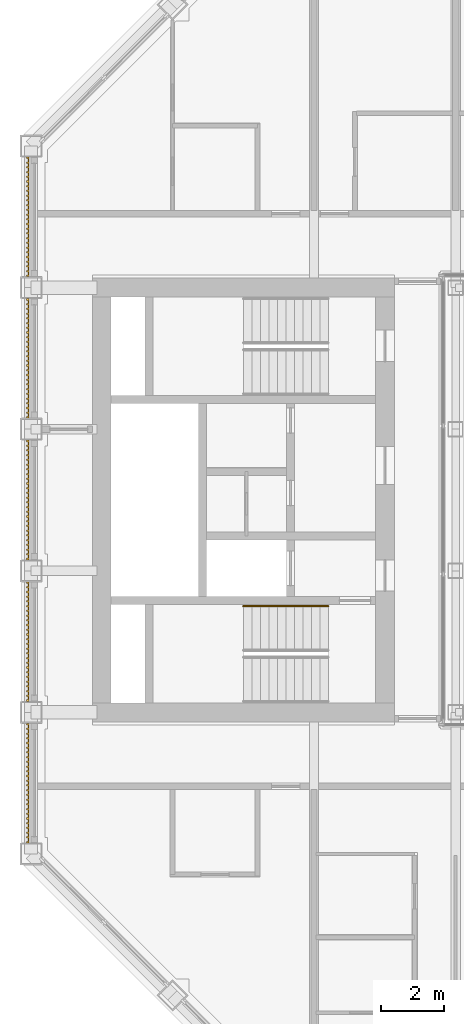
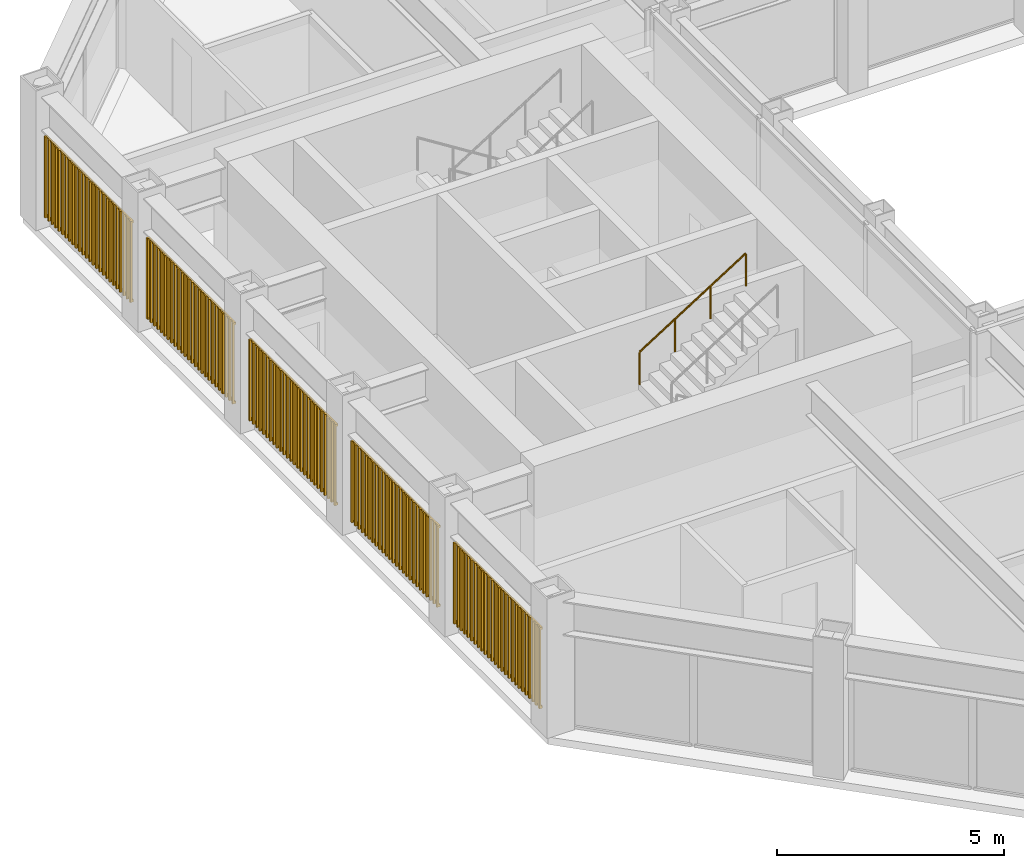
# One storey, part 15 of 18: 1 railing, 1 shading device.
"""IFC4 building model written with IfcOpenShell, lengths in metres."""

from ifc_helpers import new_model, si_unit, direction, frame, origin, origin_2d, place, context, subcontext, project, spatial, rectangle, circle, extrude, material, type_object, element, save


model = new_model("IFC4")

# Units and contexts
model_context = context("Model", 3, precision=1e-05, world=origin(), true_north=direction((0.0, 1.0)))
body_context = subcontext(model_context, "Body", "Model", "MODEL_VIEW")
ifc_project = project(units=[si_unit("LENGTHUNIT", "METRE"), si_unit("AREAUNIT", "SQUARE_METRE"), si_unit("VOLUMEUNIT", "CUBIC_METRE"), si_unit("PLANEANGLEUNIT", "RADIAN"), si_unit("MASSUNIT", "GRAM", prefix="KILO")], contexts=[model_context])

# Site, building, storey
site_placement = place(None, origin())
site = spatial("IfcSite", under=ifc_project, at=site_placement, CompositionType="ELEMENT")
building_placement = place(site_placement, origin())
building = spatial("IfcBuilding", under=site, at=building_placement, Name="Msasa Ring Tower", CompositionType="ELEMENT")
storey_placement = place(building_placement, frame((0.0, 0.0, 230.800048828125)))
storey = spatial("IfcBuildingStorey", under=building, at=storey_placement, Name="L60", CompositionType="ELEMENT", Elevation=230.800048828125)

# Shading device
ifc_material_1 = material(Name="Extruded terracotta on aluminium carriers", Category="masonry")
shading_device_type = type_object("IfcShadingDeviceType", Name="BS1 TERRACOTTA BAGUETTE SCREEN 50x50 AT 150", PredefinedType="USERDEFINED", material=ifc_material_1)
shading_device_placement = place(storey_placement, origin())
element("IfcShadingDevice", 1, at=shading_device_placement, inside=storey, type_object=shading_device_type, Name="Terracotta baguette screen W L60", ObjectType="BAGUETTE", PredefinedType="USERDEFINED", context=body_context, shape_type="SweptSolid", body=[
    extrude(rectangle(XDim=0.06005859375, YDim=0.0400390625, at=origin_2d()), frame((-20.330078125, -10.89990234375, 0.329833984375), z_axis=(0.0, 1.0, 0.0), x_axis=(0.0, 0.0, 1.0)), (0.0, 0.0, 1.0), 3.800048828125),
    extrude(rectangle(XDim=0.06005859375, YDim=0.0400390625, at=origin_2d()), frame((-20.330078125, -10.89990234375, 2.448974609375), z_axis=(0.0, 1.0, 0.0), x_axis=(0.0, 0.0, 1.0)), (0.0, 0.0, 1.0), 3.800048828125),
    extrude(rectangle(XDim=0.050048828125, YDim=0.050048828125, at=origin_2d()), frame((-20.3701171875, -10.875, 0.300048828125), z_axis=(0.0, 0.0, 1.0), x_axis=(0.0, 1.0, 0.0)), (0.0, 0.0, 1.0), 2.178955078125),
    extrude(rectangle(XDim=0.050048828125, YDim=0.050048828125, at=origin_2d()), frame((-20.3701171875, -10.72509765625, 0.300048828125), z_axis=(0.0, 0.0, 1.0), x_axis=(0.0, 1.0, 0.0)), (0.0, 0.0, 1.0), 2.178955078125),
    extrude(rectangle(XDim=0.050048828125, YDim=0.050048828125, at=origin_2d()), frame((-20.3701171875, -10.574951171875, 0.300048828125), z_axis=(0.0, 0.0, 1.0), x_axis=(0.0, 1.0, 0.0)), (0.0, 0.0, 1.0), 2.178955078125),
    extrude(rectangle(XDim=0.050048828125, YDim=0.050048828125, at=origin_2d()), frame((-20.3701171875, -10.425048828125, 0.300048828125), z_axis=(0.0, 0.0, 1.0), x_axis=(0.0, 1.0, 0.0)), (0.0, 0.0, 1.0), 2.178955078125),
    extrude(rectangle(XDim=0.050048828125, YDim=0.050048828125, at=origin_2d()), frame((-20.3701171875, -10.27490234375, 0.300048828125), z_axis=(0.0, 0.0, 1.0), x_axis=(0.0, 1.0, 0.0)), (0.0, 0.0, 1.0), 2.178955078125),
    extrude(rectangle(XDim=0.050048828125, YDim=0.050048828125, at=origin_2d()), frame((-20.3701171875, -10.125, 0.300048828125), z_axis=(0.0, 0.0, 1.0), x_axis=(0.0, 1.0, 0.0)), (0.0, 0.0, 1.0), 2.178955078125),
    extrude(rectangle(XDim=0.050048828125, YDim=0.050048828125, at=origin_2d()), frame((-20.3701171875, -9.97509765625, 0.300048828125), z_axis=(0.0, 0.0, 1.0), x_axis=(0.0, 1.0, 0.0)), (0.0, 0.0, 1.0), 2.178955078125),
    extrude(rectangle(XDim=0.050048828125, YDim=0.050048828125, at=origin_2d()), frame((-20.3701171875, -9.824951171875, 0.300048828125), z_axis=(0.0, 0.0, 1.0), x_axis=(0.0, 1.0, 0.0)), (0.0, 0.0, 1.0), 2.178955078125),
    extrude(rectangle(XDim=0.050048828125, YDim=0.050048828125, at=origin_2d()), frame((-20.3701171875, -9.675048828125, 0.300048828125), z_axis=(0.0, 0.0, 1.0), x_axis=(0.0, 1.0, 0.0)), (0.0, 0.0, 1.0), 2.178955078125),
    extrude(rectangle(XDim=0.050048828125, YDim=0.050048828125, at=origin_2d()), frame((-20.3701171875, -9.52490234375, 0.300048828125), z_axis=(0.0, 0.0, 1.0), x_axis=(0.0, 1.0, 0.0)), (0.0, 0.0, 1.0), 2.178955078125),
    extrude(rectangle(XDim=0.050048828125, YDim=0.050048828125, at=origin_2d()), frame((-20.3701171875, -9.375, 0.300048828125), z_axis=(0.0, 0.0, 1.0), x_axis=(0.0, 1.0, 0.0)), (0.0, 0.0, 1.0), 2.178955078125),
    extrude(rectangle(XDim=0.050048828125, YDim=0.050048828125, at=origin_2d()), frame((-20.3701171875, -9.22509765625, 0.300048828125), z_axis=(0.0, 0.0, 1.0), x_axis=(0.0, 1.0, 0.0)), (0.0, 0.0, 1.0), 2.178955078125),
    extrude(rectangle(XDim=0.050048828125, YDim=0.050048828125, at=origin_2d()), frame((-20.3701171875, -9.074951171875, 0.300048828125), z_axis=(0.0, 0.0, 1.0), x_axis=(0.0, 1.0, 0.0)), (0.0, 0.0, 1.0), 2.178955078125),
    extrude(rectangle(XDim=0.050048828125, YDim=0.050048828125, at=origin_2d()), frame((-20.3701171875, -8.925048828125, 0.300048828125), z_axis=(0.0, 0.0, 1.0), x_axis=(0.0, 1.0, 0.0)), (0.0, 0.0, 1.0), 2.178955078125),
    extrude(rectangle(XDim=0.050048828125, YDim=0.050048828125, at=origin_2d()), frame((-20.3701171875, -8.77490234375, 0.300048828125), z_axis=(0.0, 0.0, 1.0), x_axis=(0.0, 1.0, 0.0)), (0.0, 0.0, 1.0), 2.178955078125),
    extrude(rectangle(XDim=0.050048828125, YDim=0.050048828125, at=origin_2d()), frame((-20.3701171875, -8.625, 0.300048828125), z_axis=(0.0, 0.0, 1.0), x_axis=(0.0, 1.0, 0.0)), (0.0, 0.0, 1.0), 2.178955078125),
    extrude(rectangle(XDim=0.050048828125, YDim=0.050048828125, at=origin_2d()), frame((-20.3701171875, -8.47509765625, 0.300048828125), z_axis=(0.0, 0.0, 1.0), x_axis=(0.0, 1.0, 0.0)), (0.0, 0.0, 1.0), 2.178955078125),
    extrude(rectangle(XDim=0.050048828125, YDim=0.050048828125, at=origin_2d()), frame((-20.3701171875, -8.324951171875, 0.300048828125), z_axis=(0.0, 0.0, 1.0), x_axis=(0.0, 1.0, 0.0)), (0.0, 0.0, 1.0), 2.178955078125),
    extrude(rectangle(XDim=0.050048828125, YDim=0.050048828125, at=origin_2d()), frame((-20.3701171875, -8.175048828125, 0.300048828125), z_axis=(0.0, 0.0, 1.0), x_axis=(0.0, 1.0, 0.0)), (0.0, 0.0, 1.0), 2.178955078125),
    extrude(rectangle(XDim=0.050048828125, YDim=0.050048828125, at=origin_2d()), frame((-20.3701171875, -8.02490234375, 0.300048828125), z_axis=(0.0, 0.0, 1.0), x_axis=(0.0, 1.0, 0.0)), (0.0, 0.0, 1.0), 2.178955078125),
    extrude(rectangle(XDim=0.050048828125, YDim=0.050048828125, at=origin_2d()), frame((-20.3701171875, -7.875, 0.300048828125), z_axis=(0.0, 0.0, 1.0), x_axis=(0.0, 1.0, 0.0)), (0.0, 0.0, 1.0), 2.178955078125),
    extrude(rectangle(XDim=0.050048828125, YDim=0.050048828125, at=origin_2d()), frame((-20.3701171875, -7.72509765625, 0.300048828125), z_axis=(0.0, 0.0, 1.0), x_axis=(0.0, 1.0, 0.0)), (0.0, 0.0, 1.0), 2.178955078125),
    extrude(rectangle(XDim=0.050048828125, YDim=0.050048828125, at=origin_2d()), frame((-20.3701171875, -7.574951171875, 0.300048828125), z_axis=(0.0, 0.0, 1.0), x_axis=(0.0, 1.0, 0.0)), (0.0, 0.0, 1.0), 2.178955078125),
    extrude(rectangle(XDim=0.050048828125, YDim=0.050048828125, at=origin_2d()), frame((-20.3701171875, -7.425048828125, 0.300048828125), z_axis=(0.0, 0.0, 1.0), x_axis=(0.0, 1.0, 0.0)), (0.0, 0.0, 1.0), 2.178955078125),
    extrude(rectangle(XDim=0.050048828125, YDim=0.050048828125, at=origin_2d()), frame((-20.3701171875, -7.27490234375, 0.300048828125), z_axis=(0.0, 0.0, 1.0), x_axis=(0.0, 1.0, 0.0)), (0.0, 0.0, 1.0), 2.178955078125),
    extrude(rectangle(XDim=0.050048828125, YDim=0.050048828125, at=origin_2d()), frame((-20.3701171875, -7.125, 0.300048828125), z_axis=(0.0, 0.0, 1.0), x_axis=(0.0, 1.0, 0.0)), (0.0, 0.0, 1.0), 2.178955078125),
    extrude(rectangle(XDim=0.06005859375, YDim=0.0400390625, at=origin_2d()), frame((-20.330078125, -6.39990234375, 0.329833984375), z_axis=(0.0, 1.0, 0.0), x_axis=(0.0, 0.0, 1.0)), (0.0, 0.0, 1.0), 3.800048828125),
    extrude(rectangle(XDim=0.06005859375, YDim=0.0400390625, at=origin_2d()), frame((-20.330078125, -6.39990234375, 2.448974609375), z_axis=(0.0, 1.0, 0.0), x_axis=(0.0, 0.0, 1.0)), (0.0, 0.0, 1.0), 3.800048828125),
    extrude(rectangle(XDim=0.050048828125, YDim=0.050048828125, at=origin_2d()), frame((-20.3701171875, -6.375, 0.300048828125), z_axis=(0.0, 0.0, 1.0), x_axis=(0.0, 1.0, 0.0)), (0.0, 0.0, 1.0), 2.178955078125),
    extrude(rectangle(XDim=0.050048828125, YDim=0.050048828125, at=origin_2d()), frame((-20.3701171875, -6.22509765625, 0.300048828125), z_axis=(0.0, 0.0, 1.0), x_axis=(0.0, 1.0, 0.0)), (0.0, 0.0, 1.0), 2.178955078125),
    extrude(rectangle(XDim=0.050048828125, YDim=0.050048828125, at=origin_2d()), frame((-20.3701171875, -6.074951171875, 0.300048828125), z_axis=(0.0, 0.0, 1.0), x_axis=(0.0, 1.0, 0.0)), (0.0, 0.0, 1.0), 2.178955078125),
    extrude(rectangle(XDim=0.050048828125, YDim=0.050048828125, at=origin_2d()), frame((-20.3701171875, -5.925048828125, 0.300048828125), z_axis=(0.0, 0.0, 1.0), x_axis=(0.0, 1.0, 0.0)), (0.0, 0.0, 1.0), 2.178955078125),
    extrude(rectangle(XDim=0.050048828125, YDim=0.050048828125, at=origin_2d()), frame((-20.3701171875, -5.77490234375, 0.300048828125), z_axis=(0.0, 0.0, 1.0), x_axis=(0.0, 1.0, 0.0)), (0.0, 0.0, 1.0), 2.178955078125),
    extrude(rectangle(XDim=0.050048828125, YDim=0.050048828125, at=origin_2d()), frame((-20.3701171875, -5.625, 0.300048828125), z_axis=(0.0, 0.0, 1.0), x_axis=(0.0, 1.0, 0.0)), (0.0, 0.0, 1.0), 2.178955078125),
    extrude(rectangle(XDim=0.050048828125, YDim=0.050048828125, at=origin_2d()), frame((-20.3701171875, -5.47509765625, 0.300048828125), z_axis=(0.0, 0.0, 1.0), x_axis=(0.0, 1.0, 0.0)), (0.0, 0.0, 1.0), 2.178955078125),
    extrude(rectangle(XDim=0.050048828125, YDim=0.050048828125, at=origin_2d()), frame((-20.3701171875, -5.324951171875, 0.300048828125), z_axis=(0.0, 0.0, 1.0), x_axis=(0.0, 1.0, 0.0)), (0.0, 0.0, 1.0), 2.178955078125),
    extrude(rectangle(XDim=0.050048828125, YDim=0.050048828125, at=origin_2d()), frame((-20.3701171875, -5.175048828125, 0.300048828125), z_axis=(0.0, 0.0, 1.0), x_axis=(0.0, 1.0, 0.0)), (0.0, 0.0, 1.0), 2.178955078125),
    extrude(rectangle(XDim=0.050048828125, YDim=0.050048828125, at=origin_2d()), frame((-20.3701171875, -5.02490234375, 0.300048828125), z_axis=(0.0, 0.0, 1.0), x_axis=(0.0, 1.0, 0.0)), (0.0, 0.0, 1.0), 2.178955078125),
    extrude(rectangle(XDim=0.050048828125, YDim=0.050048828125, at=origin_2d()), frame((-20.3701171875, -4.875, 0.300048828125), z_axis=(0.0, 0.0, 1.0), x_axis=(0.0, 1.0, 0.0)), (0.0, 0.0, 1.0), 2.178955078125),
    extrude(rectangle(XDim=0.050048828125, YDim=0.050048828125, at=origin_2d()), frame((-20.3701171875, -4.72509765625, 0.300048828125), z_axis=(0.0, 0.0, 1.0), x_axis=(0.0, 1.0, 0.0)), (0.0, 0.0, 1.0), 2.178955078125),
    extrude(rectangle(XDim=0.050048828125, YDim=0.050048828125, at=origin_2d()), frame((-20.3701171875, -4.574951171875, 0.300048828125), z_axis=(0.0, 0.0, 1.0), x_axis=(0.0, 1.0, 0.0)), (0.0, 0.0, 1.0), 2.178955078125),
    extrude(rectangle(XDim=0.050048828125, YDim=0.050048828125, at=origin_2d()), frame((-20.3701171875, -4.425048828125, 0.300048828125), z_axis=(0.0, 0.0, 1.0), x_axis=(0.0, 1.0, 0.0)), (0.0, 0.0, 1.0), 2.178955078125),
    extrude(rectangle(XDim=0.050048828125, YDim=0.050048828125, at=origin_2d()), frame((-20.3701171875, -4.27490234375, 0.300048828125), z_axis=(0.0, 0.0, 1.0), x_axis=(0.0, 1.0, 0.0)), (0.0, 0.0, 1.0), 2.178955078125),
    extrude(rectangle(XDim=0.050048828125, YDim=0.050048828125, at=origin_2d()), frame((-20.3701171875, -4.125, 0.300048828125), z_axis=(0.0, 0.0, 1.0), x_axis=(0.0, 1.0, 0.0)), (0.0, 0.0, 1.0), 2.178955078125),
    extrude(rectangle(XDim=0.050048828125, YDim=0.050048828125, at=origin_2d()), frame((-20.3701171875, -3.97509765625, 0.300048828125), z_axis=(0.0, 0.0, 1.0), x_axis=(0.0, 1.0, 0.0)), (0.0, 0.0, 1.0), 2.178955078125),
    extrude(rectangle(XDim=0.050048828125, YDim=0.050048828125, at=origin_2d()), frame((-20.3701171875, -3.824951171875, 0.300048828125), z_axis=(0.0, 0.0, 1.0), x_axis=(0.0, 1.0, 0.0)), (0.0, 0.0, 1.0), 2.178955078125),
    extrude(rectangle(XDim=0.050048828125, YDim=0.050048828125, at=origin_2d()), frame((-20.3701171875, -3.675048828125, 0.300048828125), z_axis=(0.0, 0.0, 1.0), x_axis=(0.0, 1.0, 0.0)), (0.0, 0.0, 1.0), 2.178955078125),
    extrude(rectangle(XDim=0.050048828125, YDim=0.050048828125, at=origin_2d()), frame((-20.3701171875, -3.52490234375, 0.300048828125), z_axis=(0.0, 0.0, 1.0), x_axis=(0.0, 1.0, 0.0)), (0.0, 0.0, 1.0), 2.178955078125),
    extrude(rectangle(XDim=0.050048828125, YDim=0.050048828125, at=origin_2d()), frame((-20.3701171875, -3.375, 0.300048828125), z_axis=(0.0, 0.0, 1.0), x_axis=(0.0, 1.0, 0.0)), (0.0, 0.0, 1.0), 2.178955078125),
    extrude(rectangle(XDim=0.050048828125, YDim=0.050048828125, at=origin_2d()), frame((-20.3701171875, -3.22509765625, 0.300048828125), z_axis=(0.0, 0.0, 1.0), x_axis=(0.0, 1.0, 0.0)), (0.0, 0.0, 1.0), 2.178955078125),
    extrude(rectangle(XDim=0.050048828125, YDim=0.050048828125, at=origin_2d()), frame((-20.3701171875, -3.074951171875, 0.300048828125), z_axis=(0.0, 0.0, 1.0), x_axis=(0.0, 1.0, 0.0)), (0.0, 0.0, 1.0), 2.178955078125),
    extrude(rectangle(XDim=0.050048828125, YDim=0.050048828125, at=origin_2d()), frame((-20.3701171875, -2.925048828125, 0.300048828125), z_axis=(0.0, 0.0, 1.0), x_axis=(0.0, 1.0, 0.0)), (0.0, 0.0, 1.0), 2.178955078125),
    extrude(rectangle(XDim=0.050048828125, YDim=0.050048828125, at=origin_2d()), frame((-20.3701171875, -2.77490234375, 0.300048828125), z_axis=(0.0, 0.0, 1.0), x_axis=(0.0, 1.0, 0.0)), (0.0, 0.0, 1.0), 2.178955078125),
    extrude(rectangle(XDim=0.050048828125, YDim=0.050048828125, at=origin_2d()), frame((-20.3701171875, -2.625, 0.300048828125), z_axis=(0.0, 0.0, 1.0), x_axis=(0.0, 1.0, 0.0)), (0.0, 0.0, 1.0), 2.178955078125),
    extrude(rectangle(XDim=0.06005859375, YDim=0.0400390625, at=origin_2d()), frame((-20.330078125, -1.89990234375, 0.329833984375), z_axis=(0.0, 1.0, 0.0), x_axis=(0.0, 0.0, 1.0)), (0.0, 0.0, 1.0), 3.800048828125),
    extrude(rectangle(XDim=0.06005859375, YDim=0.0400390625, at=origin_2d()), frame((-20.330078125, -1.89990234375, 2.448974609375), z_axis=(0.0, 1.0, 0.0), x_axis=(0.0, 0.0, 1.0)), (0.0, 0.0, 1.0), 3.800048828125),
    extrude(rectangle(XDim=0.050048828125, YDim=0.050048828125, at=origin_2d()), frame((-20.3701171875, -1.875, 0.300048828125), z_axis=(0.0, 0.0, 1.0), x_axis=(0.0, 1.0, 0.0)), (0.0, 0.0, 1.0), 2.178955078125),
    extrude(rectangle(XDim=0.050048828125, YDim=0.050048828125, at=origin_2d()), frame((-20.3701171875, -1.72509765625, 0.300048828125), z_axis=(0.0, 0.0, 1.0), x_axis=(0.0, 1.0, 0.0)), (0.0, 0.0, 1.0), 2.178955078125),
    extrude(rectangle(XDim=0.050048828125, YDim=0.050048828125, at=origin_2d()), frame((-20.3701171875, -1.574951171875, 0.300048828125), z_axis=(0.0, 0.0, 1.0), x_axis=(0.0, 1.0, 0.0)), (0.0, 0.0, 1.0), 2.178955078125),
    extrude(rectangle(XDim=0.050048828125, YDim=0.050048828125, at=origin_2d()), frame((-20.3701171875, -1.425048828125, 0.300048828125), z_axis=(0.0, 0.0, 1.0), x_axis=(0.0, 1.0, 0.0)), (0.0, 0.0, 1.0), 2.178955078125),
    extrude(rectangle(XDim=0.050048828125, YDim=0.050048828125, at=origin_2d()), frame((-20.3701171875, -1.27490234375, 0.300048828125), z_axis=(0.0, 0.0, 1.0), x_axis=(0.0, 1.0, 0.0)), (0.0, 0.0, 1.0), 2.178955078125),
    extrude(rectangle(XDim=0.050048828125, YDim=0.050048828125, at=origin_2d()), frame((-20.3701171875, -1.125, 0.300048828125), z_axis=(0.0, 0.0, 1.0), x_axis=(0.0, 1.0, 0.0)), (0.0, 0.0, 1.0), 2.178955078125),
    extrude(rectangle(XDim=0.050048828125, YDim=0.050048828125, at=origin_2d()), frame((-20.3701171875, -0.97509765625, 0.300048828125), z_axis=(0.0, 0.0, 1.0), x_axis=(0.0, 1.0, 0.0)), (0.0, 0.0, 1.0), 2.178955078125),
    extrude(rectangle(XDim=0.050048828125, YDim=0.050048828125, at=origin_2d()), frame((-20.3701171875, -0.824951171875, 0.300048828125), z_axis=(0.0, 0.0, 1.0), x_axis=(0.0, 1.0, 0.0)), (0.0, 0.0, 1.0), 2.178955078125),
    extrude(rectangle(XDim=0.050048828125, YDim=0.050048828125, at=origin_2d()), frame((-20.3701171875, -0.675048828125, 0.300048828125), z_axis=(0.0, 0.0, 1.0), x_axis=(0.0, 1.0, 0.0)), (0.0, 0.0, 1.0), 2.178955078125),
    extrude(rectangle(XDim=0.050048828125, YDim=0.050048828125, at=origin_2d()), frame((-20.3701171875, -0.52490234375, 0.300048828125), z_axis=(0.0, 0.0, 1.0), x_axis=(0.0, 1.0, 0.0)), (0.0, 0.0, 1.0), 2.178955078125),
    extrude(rectangle(XDim=0.050048828125, YDim=0.050048828125, at=origin_2d()), frame((-20.3701171875, -0.375, 0.300048828125), z_axis=(0.0, 0.0, 1.0), x_axis=(0.0, 1.0, 0.0)), (0.0, 0.0, 1.0), 2.178955078125),
    extrude(rectangle(XDim=0.050048828125, YDim=0.050048828125, at=origin_2d()), frame((-20.3701171875, -0.22509765625, 0.300048828125), z_axis=(0.0, 0.0, 1.0), x_axis=(0.0, 1.0, 0.0)), (0.0, 0.0, 1.0), 2.178955078125),
    extrude(rectangle(XDim=0.050048828125, YDim=0.050048828125, at=origin_2d()), frame((-20.3701171875, -0.074951171875, 0.300048828125), z_axis=(0.0, 0.0, 1.0), x_axis=(0.0, 1.0, 0.0)), (0.0, 0.0, 1.0), 2.178955078125),
    extrude(rectangle(XDim=0.050048828125, YDim=0.050048828125, at=origin_2d()), frame((-20.3701171875, 0.074951171875, 0.300048828125), z_axis=(0.0, 0.0, 1.0), x_axis=(0.0, 1.0, 0.0)), (0.0, 0.0, 1.0), 2.178955078125),
    extrude(rectangle(XDim=0.050048828125, YDim=0.050048828125, at=origin_2d()), frame((-20.3701171875, 0.22509765625, 0.300048828125), z_axis=(0.0, 0.0, 1.0), x_axis=(0.0, 1.0, 0.0)), (0.0, 0.0, 1.0), 2.178955078125),
    extrude(rectangle(XDim=0.050048828125, YDim=0.050048828125, at=origin_2d()), frame((-20.3701171875, 0.375, 0.300048828125), z_axis=(0.0, 0.0, 1.0), x_axis=(0.0, 1.0, 0.0)), (0.0, 0.0, 1.0), 2.178955078125),
    extrude(rectangle(XDim=0.050048828125, YDim=0.050048828125, at=origin_2d()), frame((-20.3701171875, 0.52490234375, 0.300048828125), z_axis=(0.0, 0.0, 1.0), x_axis=(0.0, 1.0, 0.0)), (0.0, 0.0, 1.0), 2.178955078125),
    extrude(rectangle(XDim=0.050048828125, YDim=0.050048828125, at=origin_2d()), frame((-20.3701171875, 0.675048828125, 0.300048828125), z_axis=(0.0, 0.0, 1.0), x_axis=(0.0, 1.0, 0.0)), (0.0, 0.0, 1.0), 2.178955078125),
    extrude(rectangle(XDim=0.050048828125, YDim=0.050048828125, at=origin_2d()), frame((-20.3701171875, 0.824951171875, 0.300048828125), z_axis=(0.0, 0.0, 1.0), x_axis=(0.0, 1.0, 0.0)), (0.0, 0.0, 1.0), 2.178955078125),
    extrude(rectangle(XDim=0.050048828125, YDim=0.050048828125, at=origin_2d()), frame((-20.3701171875, 0.97509765625, 0.300048828125), z_axis=(0.0, 0.0, 1.0), x_axis=(0.0, 1.0, 0.0)), (0.0, 0.0, 1.0), 2.178955078125),
    extrude(rectangle(XDim=0.050048828125, YDim=0.050048828125, at=origin_2d()), frame((-20.3701171875, 1.125, 0.300048828125), z_axis=(0.0, 0.0, 1.0), x_axis=(0.0, 1.0, 0.0)), (0.0, 0.0, 1.0), 2.178955078125),
    extrude(rectangle(XDim=0.050048828125, YDim=0.050048828125, at=origin_2d()), frame((-20.3701171875, 1.27490234375, 0.300048828125), z_axis=(0.0, 0.0, 1.0), x_axis=(0.0, 1.0, 0.0)), (0.0, 0.0, 1.0), 2.178955078125),
    extrude(rectangle(XDim=0.050048828125, YDim=0.050048828125, at=origin_2d()), frame((-20.3701171875, 1.425048828125, 0.300048828125), z_axis=(0.0, 0.0, 1.0), x_axis=(0.0, 1.0, 0.0)), (0.0, 0.0, 1.0), 2.178955078125),
    extrude(rectangle(XDim=0.050048828125, YDim=0.050048828125, at=origin_2d()), frame((-20.3701171875, 1.574951171875, 0.300048828125), z_axis=(0.0, 0.0, 1.0), x_axis=(0.0, 1.0, 0.0)), (0.0, 0.0, 1.0), 2.178955078125),
    extrude(rectangle(XDim=0.050048828125, YDim=0.050048828125, at=origin_2d()), frame((-20.3701171875, 1.72509765625, 0.300048828125), z_axis=(0.0, 0.0, 1.0), x_axis=(0.0, 1.0, 0.0)), (0.0, 0.0, 1.0), 2.178955078125),
    extrude(rectangle(XDim=0.050048828125, YDim=0.050048828125, at=origin_2d()), frame((-20.3701171875, 1.875, 0.300048828125), z_axis=(0.0, 0.0, 1.0), x_axis=(0.0, 1.0, 0.0)), (0.0, 0.0, 1.0), 2.178955078125),
    extrude(rectangle(XDim=0.06005859375, YDim=0.0400390625, at=origin_2d()), frame((-20.330078125, 2.60009765625, 0.329833984375), z_axis=(0.0, 1.0, 0.0), x_axis=(0.0, 0.0, 1.0)), (0.0, 0.0, 1.0), 3.800048828125),
    extrude(rectangle(XDim=0.06005859375, YDim=0.0400390625, at=origin_2d()), frame((-20.330078125, 2.60009765625, 2.448974609375), z_axis=(0.0, 1.0, 0.0), x_axis=(0.0, 0.0, 1.0)), (0.0, 0.0, 1.0), 3.800048828125),
    extrude(rectangle(XDim=0.050048828125, YDim=0.050048828125, at=origin_2d()), frame((-20.3701171875, 2.625, 0.300048828125), z_axis=(0.0, 0.0, 1.0), x_axis=(0.0, 1.0, 0.0)), (0.0, 0.0, 1.0), 2.178955078125),
    extrude(rectangle(XDim=0.050048828125, YDim=0.050048828125, at=origin_2d()), frame((-20.3701171875, 2.77490234375, 0.300048828125), z_axis=(0.0, 0.0, 1.0), x_axis=(0.0, 1.0, 0.0)), (0.0, 0.0, 1.0), 2.178955078125),
    extrude(rectangle(XDim=0.050048828125, YDim=0.050048828125, at=origin_2d()), frame((-20.3701171875, 2.925048828125, 0.300048828125), z_axis=(0.0, 0.0, 1.0), x_axis=(0.0, 1.0, 0.0)), (0.0, 0.0, 1.0), 2.178955078125),
    extrude(rectangle(XDim=0.050048828125, YDim=0.050048828125, at=origin_2d()), frame((-20.3701171875, 3.074951171875, 0.300048828125), z_axis=(0.0, 0.0, 1.0), x_axis=(0.0, 1.0, 0.0)), (0.0, 0.0, 1.0), 2.178955078125),
    extrude(rectangle(XDim=0.050048828125, YDim=0.050048828125, at=origin_2d()), frame((-20.3701171875, 3.22509765625, 0.300048828125), z_axis=(0.0, 0.0, 1.0), x_axis=(0.0, 1.0, 0.0)), (0.0, 0.0, 1.0), 2.178955078125),
    extrude(rectangle(XDim=0.050048828125, YDim=0.050048828125, at=origin_2d()), frame((-20.3701171875, 3.375, 0.300048828125), z_axis=(0.0, 0.0, 1.0), x_axis=(0.0, 1.0, 0.0)), (0.0, 0.0, 1.0), 2.178955078125),
    extrude(rectangle(XDim=0.050048828125, YDim=0.050048828125, at=origin_2d()), frame((-20.3701171875, 3.52490234375, 0.300048828125), z_axis=(0.0, 0.0, 1.0), x_axis=(0.0, 1.0, 0.0)), (0.0, 0.0, 1.0), 2.178955078125),
    extrude(rectangle(XDim=0.050048828125, YDim=0.050048828125, at=origin_2d()), frame((-20.3701171875, 3.675048828125, 0.300048828125), z_axis=(0.0, 0.0, 1.0), x_axis=(0.0, 1.0, 0.0)), (0.0, 0.0, 1.0), 2.178955078125),
    extrude(rectangle(XDim=0.050048828125, YDim=0.050048828125, at=origin_2d()), frame((-20.3701171875, 3.824951171875, 0.300048828125), z_axis=(0.0, 0.0, 1.0), x_axis=(0.0, 1.0, 0.0)), (0.0, 0.0, 1.0), 2.178955078125),
    extrude(rectangle(XDim=0.050048828125, YDim=0.050048828125, at=origin_2d()), frame((-20.3701171875, 3.97509765625, 0.300048828125), z_axis=(0.0, 0.0, 1.0), x_axis=(0.0, 1.0, 0.0)), (0.0, 0.0, 1.0), 2.178955078125),
    extrude(rectangle(XDim=0.050048828125, YDim=0.050048828125, at=origin_2d()), frame((-20.3701171875, 4.125, 0.300048828125), z_axis=(0.0, 0.0, 1.0), x_axis=(0.0, 1.0, 0.0)), (0.0, 0.0, 1.0), 2.178955078125),
    extrude(rectangle(XDim=0.050048828125, YDim=0.050048828125, at=origin_2d()), frame((-20.3701171875, 4.27490234375, 0.300048828125), z_axis=(0.0, 0.0, 1.0), x_axis=(0.0, 1.0, 0.0)), (0.0, 0.0, 1.0), 2.178955078125),
    extrude(rectangle(XDim=0.050048828125, YDim=0.050048828125, at=origin_2d()), frame((-20.3701171875, 4.425048828125, 0.300048828125), z_axis=(0.0, 0.0, 1.0), x_axis=(0.0, 1.0, 0.0)), (0.0, 0.0, 1.0), 2.178955078125),
    extrude(rectangle(XDim=0.050048828125, YDim=0.050048828125, at=origin_2d()), frame((-20.3701171875, 4.574951171875, 0.300048828125), z_axis=(0.0, 0.0, 1.0), x_axis=(0.0, 1.0, 0.0)), (0.0, 0.0, 1.0), 2.178955078125),
    extrude(rectangle(XDim=0.050048828125, YDim=0.050048828125, at=origin_2d()), frame((-20.3701171875, 4.72509765625, 0.300048828125), z_axis=(0.0, 0.0, 1.0), x_axis=(0.0, 1.0, 0.0)), (0.0, 0.0, 1.0), 2.178955078125),
    extrude(rectangle(XDim=0.050048828125, YDim=0.050048828125, at=origin_2d()), frame((-20.3701171875, 4.875, 0.300048828125), z_axis=(0.0, 0.0, 1.0), x_axis=(0.0, 1.0, 0.0)), (0.0, 0.0, 1.0), 2.178955078125),
    extrude(rectangle(XDim=0.050048828125, YDim=0.050048828125, at=origin_2d()), frame((-20.3701171875, 5.02490234375, 0.300048828125), z_axis=(0.0, 0.0, 1.0), x_axis=(0.0, 1.0, 0.0)), (0.0, 0.0, 1.0), 2.178955078125),
    extrude(rectangle(XDim=0.050048828125, YDim=0.050048828125, at=origin_2d()), frame((-20.3701171875, 5.175048828125, 0.300048828125), z_axis=(0.0, 0.0, 1.0), x_axis=(0.0, 1.0, 0.0)), (0.0, 0.0, 1.0), 2.178955078125),
    extrude(rectangle(XDim=0.050048828125, YDim=0.050048828125, at=origin_2d()), frame((-20.3701171875, 5.324951171875, 0.300048828125), z_axis=(0.0, 0.0, 1.0), x_axis=(0.0, 1.0, 0.0)), (0.0, 0.0, 1.0), 2.178955078125),
    extrude(rectangle(XDim=0.050048828125, YDim=0.050048828125, at=origin_2d()), frame((-20.3701171875, 5.47509765625, 0.300048828125), z_axis=(0.0, 0.0, 1.0), x_axis=(0.0, 1.0, 0.0)), (0.0, 0.0, 1.0), 2.178955078125),
    extrude(rectangle(XDim=0.050048828125, YDim=0.050048828125, at=origin_2d()), frame((-20.3701171875, 5.625, 0.300048828125), z_axis=(0.0, 0.0, 1.0), x_axis=(0.0, 1.0, 0.0)), (0.0, 0.0, 1.0), 2.178955078125),
    extrude(rectangle(XDim=0.050048828125, YDim=0.050048828125, at=origin_2d()), frame((-20.3701171875, 5.77490234375, 0.300048828125), z_axis=(0.0, 0.0, 1.0), x_axis=(0.0, 1.0, 0.0)), (0.0, 0.0, 1.0), 2.178955078125),
    extrude(rectangle(XDim=0.050048828125, YDim=0.050048828125, at=origin_2d()), frame((-20.3701171875, 5.925048828125, 0.300048828125), z_axis=(0.0, 0.0, 1.0), x_axis=(0.0, 1.0, 0.0)), (0.0, 0.0, 1.0), 2.178955078125),
    extrude(rectangle(XDim=0.050048828125, YDim=0.050048828125, at=origin_2d()), frame((-20.3701171875, 6.074951171875, 0.300048828125), z_axis=(0.0, 0.0, 1.0), x_axis=(0.0, 1.0, 0.0)), (0.0, 0.0, 1.0), 2.178955078125),
    extrude(rectangle(XDim=0.050048828125, YDim=0.050048828125, at=origin_2d()), frame((-20.3701171875, 6.22509765625, 0.300048828125), z_axis=(0.0, 0.0, 1.0), x_axis=(0.0, 1.0, 0.0)), (0.0, 0.0, 1.0), 2.178955078125),
    extrude(rectangle(XDim=0.050048828125, YDim=0.050048828125, at=origin_2d()), frame((-20.3701171875, 6.375, 0.300048828125), z_axis=(0.0, 0.0, 1.0), x_axis=(0.0, 1.0, 0.0)), (0.0, 0.0, 1.0), 2.178955078125),
    extrude(rectangle(XDim=0.06005859375, YDim=0.0400390625, at=origin_2d()), frame((-20.330078125, 7.10009765625, 0.329833984375), z_axis=(0.0, 1.0, 0.0), x_axis=(0.0, 0.0, 1.0)), (0.0, 0.0, 1.0), 3.800048828125),
    extrude(rectangle(XDim=0.06005859375, YDim=0.0400390625, at=origin_2d()), frame((-20.330078125, 7.10009765625, 2.448974609375), z_axis=(0.0, 1.0, 0.0), x_axis=(0.0, 0.0, 1.0)), (0.0, 0.0, 1.0), 3.800048828125),
    extrude(rectangle(XDim=0.050048828125, YDim=0.050048828125, at=origin_2d()), frame((-20.3701171875, 7.125, 0.300048828125), z_axis=(0.0, 0.0, 1.0), x_axis=(0.0, 1.0, 0.0)), (0.0, 0.0, 1.0), 2.178955078125),
    extrude(rectangle(XDim=0.050048828125, YDim=0.050048828125, at=origin_2d()), frame((-20.3701171875, 7.27490234375, 0.300048828125), z_axis=(0.0, 0.0, 1.0), x_axis=(0.0, 1.0, 0.0)), (0.0, 0.0, 1.0), 2.178955078125),
    extrude(rectangle(XDim=0.050048828125, YDim=0.050048828125, at=origin_2d()), frame((-20.3701171875, 7.425048828125, 0.300048828125), z_axis=(0.0, 0.0, 1.0), x_axis=(0.0, 1.0, 0.0)), (0.0, 0.0, 1.0), 2.178955078125),
    extrude(rectangle(XDim=0.050048828125, YDim=0.050048828125, at=origin_2d()), frame((-20.3701171875, 7.574951171875, 0.300048828125), z_axis=(0.0, 0.0, 1.0), x_axis=(0.0, 1.0, 0.0)), (0.0, 0.0, 1.0), 2.178955078125),
    extrude(rectangle(XDim=0.050048828125, YDim=0.050048828125, at=origin_2d()), frame((-20.3701171875, 7.72509765625, 0.300048828125), z_axis=(0.0, 0.0, 1.0), x_axis=(0.0, 1.0, 0.0)), (0.0, 0.0, 1.0), 2.178955078125),
    extrude(rectangle(XDim=0.050048828125, YDim=0.050048828125, at=origin_2d()), frame((-20.3701171875, 7.875, 0.300048828125), z_axis=(0.0, 0.0, 1.0), x_axis=(0.0, 1.0, 0.0)), (0.0, 0.0, 1.0), 2.178955078125),
    extrude(rectangle(XDim=0.050048828125, YDim=0.050048828125, at=origin_2d()), frame((-20.3701171875, 8.02490234375, 0.300048828125), z_axis=(0.0, 0.0, 1.0), x_axis=(0.0, 1.0, 0.0)), (0.0, 0.0, 1.0), 2.178955078125),
    extrude(rectangle(XDim=0.050048828125, YDim=0.050048828125, at=origin_2d()), frame((-20.3701171875, 8.175048828125, 0.300048828125), z_axis=(0.0, 0.0, 1.0), x_axis=(0.0, 1.0, 0.0)), (0.0, 0.0, 1.0), 2.178955078125),
    extrude(rectangle(XDim=0.050048828125, YDim=0.050048828125, at=origin_2d()), frame((-20.3701171875, 8.324951171875, 0.300048828125), z_axis=(0.0, 0.0, 1.0), x_axis=(0.0, 1.0, 0.0)), (0.0, 0.0, 1.0), 2.178955078125),
    extrude(rectangle(XDim=0.050048828125, YDim=0.050048828125, at=origin_2d()), frame((-20.3701171875, 8.47509765625, 0.300048828125), z_axis=(0.0, 0.0, 1.0), x_axis=(0.0, 1.0, 0.0)), (0.0, 0.0, 1.0), 2.178955078125),
    extrude(rectangle(XDim=0.050048828125, YDim=0.050048828125, at=origin_2d()), frame((-20.3701171875, 8.625, 0.300048828125), z_axis=(0.0, 0.0, 1.0), x_axis=(0.0, 1.0, 0.0)), (0.0, 0.0, 1.0), 2.178955078125),
    extrude(rectangle(XDim=0.050048828125, YDim=0.050048828125, at=origin_2d()), frame((-20.3701171875, 8.77490234375, 0.300048828125), z_axis=(0.0, 0.0, 1.0), x_axis=(0.0, 1.0, 0.0)), (0.0, 0.0, 1.0), 2.178955078125),
    extrude(rectangle(XDim=0.050048828125, YDim=0.050048828125, at=origin_2d()), frame((-20.3701171875, 8.925048828125, 0.300048828125), z_axis=(0.0, 0.0, 1.0), x_axis=(0.0, 1.0, 0.0)), (0.0, 0.0, 1.0), 2.178955078125),
    extrude(rectangle(XDim=0.050048828125, YDim=0.050048828125, at=origin_2d()), frame((-20.3701171875, 9.074951171875, 0.300048828125), z_axis=(0.0, 0.0, 1.0), x_axis=(0.0, 1.0, 0.0)), (0.0, 0.0, 1.0), 2.178955078125),
    extrude(rectangle(XDim=0.050048828125, YDim=0.050048828125, at=origin_2d()), frame((-20.3701171875, 9.22509765625, 0.300048828125), z_axis=(0.0, 0.0, 1.0), x_axis=(0.0, 1.0, 0.0)), (0.0, 0.0, 1.0), 2.178955078125),
    extrude(rectangle(XDim=0.050048828125, YDim=0.050048828125, at=origin_2d()), frame((-20.3701171875, 9.375, 0.300048828125), z_axis=(0.0, 0.0, 1.0), x_axis=(0.0, 1.0, 0.0)), (0.0, 0.0, 1.0), 2.178955078125),
    extrude(rectangle(XDim=0.050048828125, YDim=0.050048828125, at=origin_2d()), frame((-20.3701171875, 9.52490234375, 0.300048828125), z_axis=(0.0, 0.0, 1.0), x_axis=(0.0, 1.0, 0.0)), (0.0, 0.0, 1.0), 2.178955078125),
    extrude(rectangle(XDim=0.050048828125, YDim=0.050048828125, at=origin_2d()), frame((-20.3701171875, 9.675048828125, 0.300048828125), z_axis=(0.0, 0.0, 1.0), x_axis=(0.0, 1.0, 0.0)), (0.0, 0.0, 1.0), 2.178955078125),
    extrude(rectangle(XDim=0.050048828125, YDim=0.050048828125, at=origin_2d()), frame((-20.3701171875, 9.824951171875, 0.300048828125), z_axis=(0.0, 0.0, 1.0), x_axis=(0.0, 1.0, 0.0)), (0.0, 0.0, 1.0), 2.178955078125),
    extrude(rectangle(XDim=0.050048828125, YDim=0.050048828125, at=origin_2d()), frame((-20.3701171875, 9.97509765625, 0.300048828125), z_axis=(0.0, 0.0, 1.0), x_axis=(0.0, 1.0, 0.0)), (0.0, 0.0, 1.0), 2.178955078125),
    extrude(rectangle(XDim=0.050048828125, YDim=0.050048828125, at=origin_2d()), frame((-20.3701171875, 10.125, 0.300048828125), z_axis=(0.0, 0.0, 1.0), x_axis=(0.0, 1.0, 0.0)), (0.0, 0.0, 1.0), 2.178955078125),
    extrude(rectangle(XDim=0.050048828125, YDim=0.050048828125, at=origin_2d()), frame((-20.3701171875, 10.27490234375, 0.300048828125), z_axis=(0.0, 0.0, 1.0), x_axis=(0.0, 1.0, 0.0)), (0.0, 0.0, 1.0), 2.178955078125),
    extrude(rectangle(XDim=0.050048828125, YDim=0.050048828125, at=origin_2d()), frame((-20.3701171875, 10.425048828125, 0.300048828125), z_axis=(0.0, 0.0, 1.0), x_axis=(0.0, 1.0, 0.0)), (0.0, 0.0, 1.0), 2.178955078125),
    extrude(rectangle(XDim=0.050048828125, YDim=0.050048828125, at=origin_2d()), frame((-20.3701171875, 10.574951171875, 0.300048828125), z_axis=(0.0, 0.0, 1.0), x_axis=(0.0, 1.0, 0.0)), (0.0, 0.0, 1.0), 2.178955078125),
    extrude(rectangle(XDim=0.050048828125, YDim=0.050048828125, at=origin_2d()), frame((-20.3701171875, 10.72509765625, 0.300048828125), z_axis=(0.0, 0.0, 1.0), x_axis=(0.0, 1.0, 0.0)), (0.0, 0.0, 1.0), 2.178955078125),
    extrude(rectangle(XDim=0.050048828125, YDim=0.050048828125, at=origin_2d()), frame((-20.3701171875, 10.875, 0.300048828125), z_axis=(0.0, 0.0, 1.0), x_axis=(0.0, 1.0, 0.0)), (0.0, 0.0, 1.0), 2.178955078125),
])

# Railing
ifc_material_2 = material(Name="Stainless steel", Category="steel")
railing_type = type_object("IfcRailingType", Name="HR1 HANDRAIL 900", PredefinedType="HANDRAIL", material=ifc_material_2)
railing_placement = place(storey_placement, frame((-13.5, -3.375, 2.04541015625)))
element("IfcRailing", 2, at=railing_placement, inside=storey, type_object=railing_type, Name="Handrail stair SWA L60 4", PredefinedType="HANDRAIL", context=body_context, shape_type="SweptSolid", body=[
    extrude(circle(Radius=0.02392578125, at=origin_2d()), frame((0.0, 0.0, 0.8759765625), z_axis=(0.845579735284, 0.0, 0.533849146555), x_axis=(0.0, 1.0, 0.0)), (0.0, 0.0, 1.0), 3.193115234375),
    extrude(circle(Radius=0.02099609375, at=origin_2d()), origin(), (0.0, 0.0, 1.0), 0.851806640625),
    extrude(circle(Radius=0.02099609375, at=origin_2d()), frame((0.89990234375, 0.0, 0.568115234375)), (0.0, 0.0, 1.0), 0.851806640625),
    extrude(circle(Radius=0.02099609375, at=origin_2d()), frame((1.800048828125, 0.0, 1.136474609375)), (0.0, 0.0, 1.0), 0.851806640625),
    extrude(circle(Radius=0.02099609375, at=origin_2d()), frame((2.699951171875, 0.0, 1.70458984375)), (0.0, 0.0, 1.0), 0.851806640625),
])

save(model, "model.ifc")
